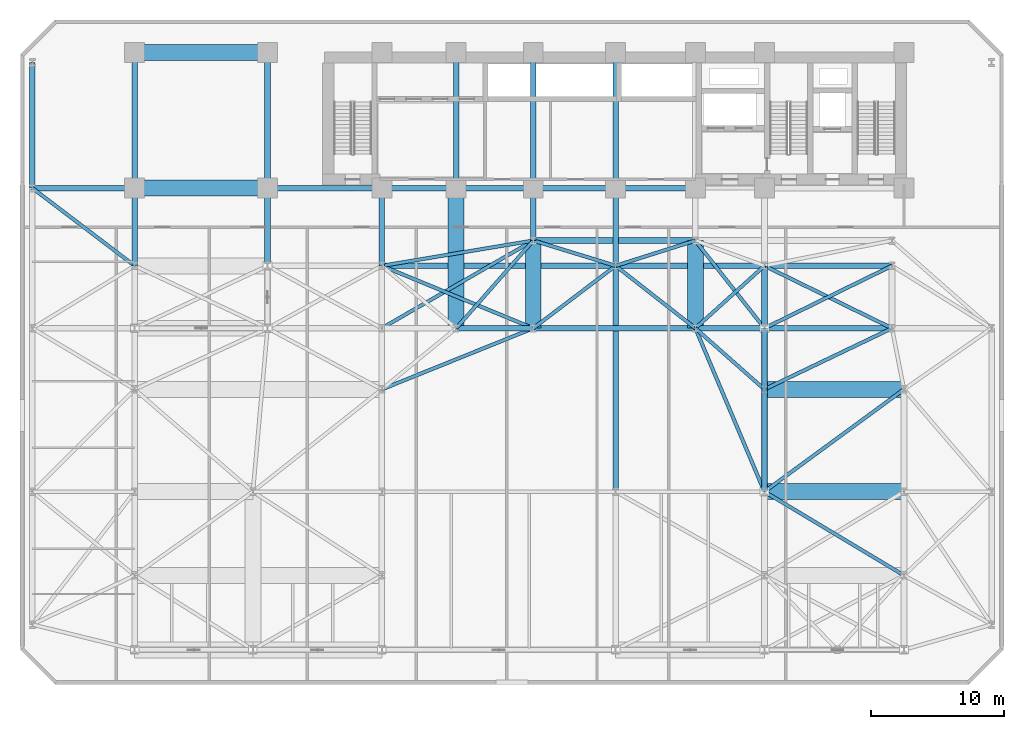
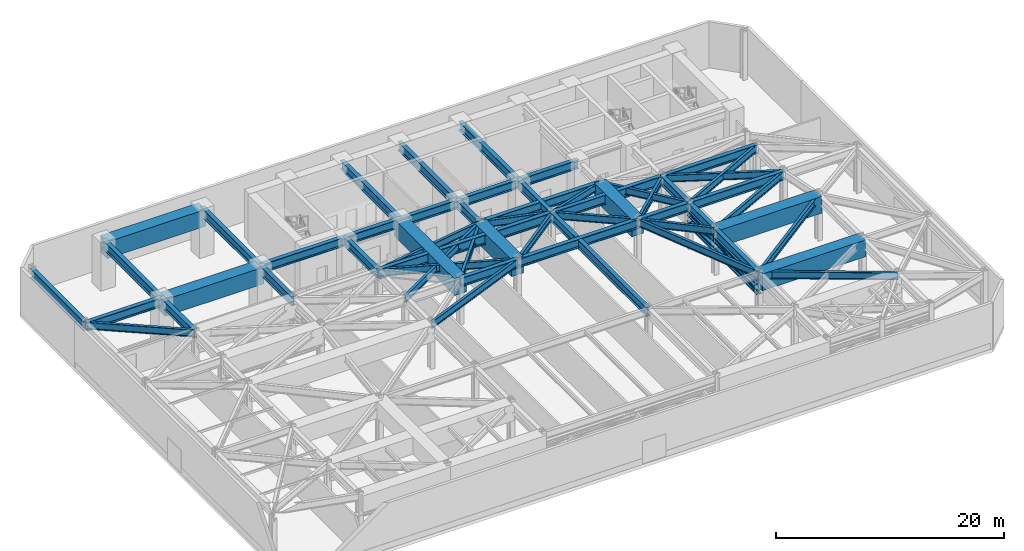
# One storey, part 3 of 14: 55 beams, 4 members.
"""IFC4 building model written with IfcOpenShell, lengths in metres."""

from ifc_helpers import new_model, si_unit, direction, frame, origin, origin_2d, place, context, subcontext, project, spatial, rectangle, hollow_rectangle, i_section, extrude, material, material_profile, profile_set, type_object, element, save


model = new_model("IFC4")

# Units and contexts
model_context = context("Model", 3, precision=1e-05, world=origin(), true_north=direction((0.0, 1.0)))
body_context = subcontext(model_context, "Body", "Model", "MODEL_VIEW")
ifc_project = project(units=[si_unit("LENGTHUNIT", "METRE"), si_unit("AREAUNIT", "SQUARE_METRE"), si_unit("VOLUMEUNIT", "CUBIC_METRE"), si_unit("PLANEANGLEUNIT", "RADIAN"), si_unit("MASSUNIT", "GRAM", prefix="KILO")], contexts=[model_context])

# Site, building, storey
site_placement = place(None, origin())
site = spatial("IfcSite", under=ifc_project, at=site_placement, CompositionType="ELEMENT")
building_placement = place(site_placement, origin())
building = spatial("IfcBuilding", under=site, at=building_placement, Name="Kravanh Interchange Tower", CompositionType="ELEMENT")
storey_placement = place(building_placement, frame((0.0, 0.0, 24.300048828125)))
storey = spatial("IfcBuildingStorey", under=building, at=storey_placement, Name="L05", CompositionType="ELEMENT", Elevation=24.300048828125)

# Beams
ifc_material_1 = material(Name="Structural Steel S450", Category="steel")
ifc_material_profile_1 = material_profile(ifc_material_1, i_section(OverallWidth=0.423095703125, OverallDepth=0.947998046875, WebThickness=0.02392578125, FlangeThickness=0.042724609375, FilletRadius=0.028076171875, at=origin_2d()), Name="W36X302")
ifc_profile_set_1 = profile_set([ifc_material_profile_1], Name="Structural Steel S450")
beam_type_1 = type_object("IfcBeamType", Name="Floor Beam W36X302 Structural Steel S450", PredefinedType="BEAM", material=ifc_profile_set_1)
beam_1_placement = place(storey_placement, frame((44.800048828125, 14.5, 4.466064453125), z_axis=(0.0, 1.0, 0.0), x_axis=(-1.0, 0.0, 0.0)))
element("IfcBeam", 1, at=beam_1_placement, inside=storey, type_object=beam_type_1, Name="L05 Primary Floor Girder 48", PredefinedType="BEAM", context=body_context, shape_type="SweptSolid", body=[
    extrude(i_section(OverallWidth=0.423095703125, OverallDepth=0.947998046875, WebThickness=0.02392578125, FlangeThickness=0.042724609375, FilletRadius=0.028076171875, at=origin_2d()), origin(), (0.0, 0.0, 1.0), 17.0),
])
beam_2_placement = place(storey_placement, frame((56.0, 14.5, 4.466064453125), z_axis=(0.0, 1.0, 0.0), x_axis=(-1.0, 0.0, 0.0)))
element("IfcBeam", 2, at=beam_2_placement, inside=storey, type_object=beam_type_1, Name="L05 Primary Floor Girder 49", PredefinedType="BEAM", context=body_context, shape_type="SweptSolid", body=[
    extrude(i_section(OverallWidth=0.423095703125, OverallDepth=0.947998046875, WebThickness=0.02392578125, FlangeThickness=0.042724609375, FilletRadius=0.028076171875, at=origin_2d()), origin(), (0.0, 0.0, 1.0), 7.699951171875),
])
beam_3_placement = place(storey_placement, frame((56.0, 22.199951171875, 4.466064453125), z_axis=(0.0, 1.0, 0.0), x_axis=(-1.0, 0.0, 0.0)))
element("IfcBeam", 3, at=beam_3_placement, inside=storey, type_object=beam_type_1, Name="L05 Primary Floor Girder 65", PredefinedType="BEAM", context=body_context, shape_type="SweptSolid", body=[
    extrude(i_section(OverallWidth=0.423095703125, OverallDepth=0.947998046875, WebThickness=0.02392578125, FlangeThickness=0.042724609375, FilletRadius=0.028076171875, at=origin_2d()), origin(), (0.0, 0.0, 1.0), 4.60009765625),
])
beam_4_placement = place(storey_placement, frame((32.800048828125, 26.800048828125, 4.466064453125), z_axis=(1.0, 0.0, 0.0), x_axis=(0.0, 1.0, 0.0)))
element("IfcBeam", 4, at=beam_4_placement, inside=storey, type_object=beam_type_1, Name="L05 Primary Floor Girder 85", PredefinedType="BEAM", context=body_context, shape_type="SweptSolid", body=[
    extrude(i_section(OverallWidth=0.423095703125, OverallDepth=0.947998046875, WebThickness=0.02392578125, FlangeThickness=0.042724609375, FilletRadius=0.028076171875, at=origin_2d()), origin(), (0.0, 0.0, 1.0), 5.800048828125),
])
beam_5_placement = place(storey_placement, frame((38.60009765625, 26.800048828125, 4.466064453125), z_axis=(1.0, 0.0, 0.0), x_axis=(0.0, 1.0, 0.0)))
element("IfcBeam", 5, at=beam_5_placement, inside=storey, type_object=beam_type_1, Name="L05 Primary Floor Girder 91", PredefinedType="BEAM", context=body_context, shape_type="SweptSolid", body=[
    extrude(i_section(OverallWidth=0.423095703125, OverallDepth=0.947998046875, WebThickness=0.02392578125, FlangeThickness=0.042724609375, FilletRadius=0.028076171875, at=origin_2d()), origin(), (0.0, 0.0, 1.0), 12.199951171875),
])
beam_6_placement = place(storey_placement, frame((50.800048828125, 26.800048828125, 4.466064453125), z_axis=(1.0, 0.0, 0.0), x_axis=(0.0, 1.0, 0.0)))
element("IfcBeam", 6, at=beam_6_placement, inside=storey, type_object=beam_type_1, Name="L05 Primary Floor Girder 93", PredefinedType="BEAM", context=body_context, shape_type="SweptSolid", body=[
    extrude(i_section(OverallWidth=0.423095703125, OverallDepth=0.947998046875, WebThickness=0.02392578125, FlangeThickness=0.042724609375, FilletRadius=0.028076171875, at=origin_2d()), origin(), (0.0, 0.0, 1.0), 5.199951171875),
])
beam_7_placement = place(storey_placement, frame((56.0, 26.800048828125, 4.466064453125), z_axis=(0.0, 1.0, 0.0), x_axis=(-1.0, 0.0, 0.0)))
element("IfcBeam", 7, at=beam_7_placement, inside=storey, type_object=beam_type_1, Name="L05 Primary Floor Girder 97", PredefinedType="BEAM", context=body_context, shape_type="SweptSolid", body=[
    extrude(i_section(OverallWidth=0.423095703125, OverallDepth=0.947998046875, WebThickness=0.02392578125, FlangeThickness=0.042724609375, FilletRadius=0.028076171875, at=origin_2d()), origin(), (0.0, 0.0, 1.0), 4.699951171875),
])
beam_8_placement = place(storey_placement, frame((56.0, 26.800048828125, 4.466064453125), z_axis=(1.0, 0.0, 0.0), x_axis=(0.0, 1.0, 0.0)))
element("IfcBeam", 8, at=beam_8_placement, inside=storey, type_object=beam_type_1, Name="L05 Primary Floor Girder 99", PredefinedType="BEAM", context=body_context, shape_type="SweptSolid", body=[
    extrude(i_section(OverallWidth=0.423095703125, OverallDepth=0.947998046875, WebThickness=0.02392578125, FlangeThickness=0.042724609375, FilletRadius=0.028076171875, at=origin_2d()), origin(), (0.0, 0.0, 1.0), 9.60009765625),
])
for number, where, z_axis, x_axis, name in (
    (9, (8.60009765625, 31.5, 4.466064453125), (0.0, 1.0, 0.0), (-1.0, 0.0, 0.0), "L05 Primary Floor Girder 104"),
    (10, (18.60009765625, 31.5, 4.466064453125), (0.0, 1.0, 0.0), (-1.0, 0.0, 0.0), "L05 Primary Floor Girder 108"),
    (11, (27.199951171875, 31.5, 4.466064453125), (0.0, 1.0, 0.0), (-1.0, 0.0, 0.0), "L05 Primary Floor Girder 110"),
    (12, (44.800048828125, 31.5, 4.466064453125), (0.0, 1.0, 0.0), (-1.0, 0.0, 0.0), "L05 Primary Floor Girder 113"),
):
    element("IfcBeam", number, at=place(storey_placement, frame(where, z_axis=z_axis, x_axis=x_axis)), inside=storey, type_object=beam_type_1, Name=name, PredefinedType="BEAM", context=body_context, shape_type="SweptSolid", body=[
        extrude(i_section(OverallWidth=0.423095703125, OverallDepth=0.947998046875, WebThickness=0.02392578125, FlangeThickness=0.042724609375, FilletRadius=0.028076171875, at=origin_2d()), origin(), (0.0, 0.0, 1.0), 5.85009765625),
    ])
beam_9_placement = place(storey_placement, frame((56.0, 31.5, 4.466064453125), z_axis=(1.0, 0.0, 0.0), x_axis=(0.0, 1.0, 0.0)))
element("IfcBeam", 13, at=beam_9_placement, inside=storey, type_object=beam_type_1, Name="L05 Primary Floor Girder 119", PredefinedType="BEAM", context=body_context, shape_type="SweptSolid", body=[
    extrude(i_section(OverallWidth=0.423095703125, OverallDepth=0.947998046875, WebThickness=0.02392578125, FlangeThickness=0.042724609375, FilletRadius=0.028076171875, at=origin_2d()), origin(), (0.0, 0.0, 1.0), 9.60009765625),
])
beam_10_placement = place(storey_placement, frame((0.89990234375, 37.35009765625, 4.466064453125), z_axis=(1.0, 0.0, 0.0), x_axis=(0.0, 1.0, 0.0)))
element("IfcBeam", 14, at=beam_10_placement, inside=storey, type_object=beam_type_1, Name="L05 Primary Floor Girder 125", PredefinedType="BEAM", context=body_context, shape_type="SweptSolid", body=[
    extrude(i_section(OverallWidth=0.423095703125, OverallDepth=0.947998046875, WebThickness=0.02392578125, FlangeThickness=0.042724609375, FilletRadius=0.028076171875, at=origin_2d()), origin(), (0.0, 0.0, 1.0), 7.7001953125),
])
beam_11_placement = place(storey_placement, frame((0.89990234375, 37.35009765625, 4.466064453125), z_axis=(0.0, 1.0, 0.0), x_axis=(-1.0, 0.0, 0.0)))
element("IfcBeam", 15, at=beam_11_placement, inside=storey, type_object=beam_type_1, Name="L05 Primary Floor Girder 126", PredefinedType="BEAM", context=body_context, shape_type="SweptSolid", body=[
    extrude(i_section(OverallWidth=0.423095703125, OverallDepth=0.947998046875, WebThickness=0.02392578125, FlangeThickness=0.042724609375, FilletRadius=0.028076171875, at=origin_2d()), origin(), (0.0, 0.0, 1.0), 9.449951171875),
])
beam_12_placement = place(storey_placement, frame((38.60009765625, 33.39990234375, 4.466064453125), z_axis=(0.0, 1.0, 0.0), x_axis=(-1.0, 0.0, 0.0)))
element("IfcBeam", 16, at=beam_12_placement, inside=storey, type_object=beam_type_1, Name="L05 Primary Floor Girder 130", PredefinedType="BEAM", context=body_context, shape_type="SweptSolid", body=[
    extrude(i_section(OverallWidth=0.423095703125, OverallDepth=0.947998046875, WebThickness=0.02392578125, FlangeThickness=0.042724609375, FilletRadius=0.028076171875, at=origin_2d()), origin(), (0.0, 0.0, 1.0), 3.9501953125),
])
beam_13_placement = place(storey_placement, frame((38.60009765625, 33.39990234375, 4.466064453125), z_axis=(1.0, 0.0, 0.0), x_axis=(0.0, 1.0, 0.0)))
element("IfcBeam", 17, at=beam_13_placement, inside=storey, type_object=beam_type_1, Name="L05 Primary Floor Girder 131", PredefinedType="BEAM", context=body_context, shape_type="SweptSolid", body=[
    extrude(i_section(OverallWidth=0.423095703125, OverallDepth=0.947998046875, WebThickness=0.02392578125, FlangeThickness=0.042724609375, FilletRadius=0.028076171875, at=origin_2d()), origin(), (0.0, 0.0, 1.0), 12.199951171875),
])
beam_14_placement = place(storey_placement, frame((50.800048828125, 37.35009765625, 4.466064453125), z_axis=(-1.0, 0.0, 0.0), x_axis=(0.0, -1.0, 0.0)))
element("IfcBeam", 18, at=beam_14_placement, inside=storey, type_object=beam_type_1, Name="L05 Primary Floor Girder 142", PredefinedType="BEAM", context=body_context, shape_type="SweptSolid", body=[
    extrude(i_section(OverallWidth=0.423095703125, OverallDepth=0.947998046875, WebThickness=0.02392578125, FlangeThickness=0.042724609375, FilletRadius=0.028076171875, at=origin_2d()), origin(), (0.0, 0.0, 1.0), 6.0),
])
beam_15_placement = place(storey_placement, frame((44.800048828125, 37.35009765625, 4.466064453125), z_axis=(-1.0, 0.0, 0.0), x_axis=(0.0, -1.0, 0.0)))
element("IfcBeam", 19, at=beam_15_placement, inside=storey, type_object=beam_type_1, Name="L05 Primary Floor Girder 143", PredefinedType="BEAM", context=body_context, shape_type="SweptSolid", body=[
    extrude(i_section(OverallWidth=0.423095703125, OverallDepth=0.947998046875, WebThickness=0.02392578125, FlangeThickness=0.042724609375, FilletRadius=0.028076171875, at=origin_2d()), origin(), (0.0, 0.0, 1.0), 6.199951171875),
])
beam_16_placement = place(storey_placement, frame((44.800048828125, 37.35009765625, 4.466064453125), z_axis=(0.0, 1.0, 0.0), x_axis=(-1.0, 0.0, 0.0)))
element("IfcBeam", 20, at=beam_16_placement, inside=storey, type_object=beam_type_1, Name="L05 Primary Floor Girder 144", PredefinedType="BEAM", context=body_context, shape_type="SweptSolid", body=[
    extrude(i_section(OverallWidth=0.423095703125, OverallDepth=0.947998046875, WebThickness=0.02392578125, FlangeThickness=0.042724609375, FilletRadius=0.028076171875, at=origin_2d()), origin(), (0.0, 0.0, 1.0), 10.199951171875),
])
beam_17_placement = place(storey_placement, frame((38.60009765625, 37.35009765625, 4.466064453125), z_axis=(-1.0, 0.0, 0.0), x_axis=(0.0, -1.0, 0.0)))
element("IfcBeam", 21, at=beam_17_placement, inside=storey, type_object=beam_type_1, Name="L05 Primary Floor Girder 146", PredefinedType="BEAM", context=body_context, shape_type="SweptSolid", body=[
    extrude(i_section(OverallWidth=0.423095703125, OverallDepth=0.947998046875, WebThickness=0.02392578125, FlangeThickness=0.042724609375, FilletRadius=0.028076171875, at=origin_2d()), origin(), (0.0, 0.0, 1.0), 5.800048828125),
])
beam_18_placement = place(storey_placement, frame((38.60009765625, 37.35009765625, 4.466064453125), z_axis=(0.0, 1.0, 0.0), x_axis=(-1.0, 0.0, 0.0)))
element("IfcBeam", 22, at=beam_18_placement, inside=storey, type_object=beam_type_1, Name="L05 Primary Floor Girder 147", PredefinedType="BEAM", context=body_context, shape_type="SweptSolid", body=[
    extrude(i_section(OverallWidth=0.423095703125, OverallDepth=0.947998046875, WebThickness=0.02392578125, FlangeThickness=0.042724609375, FilletRadius=0.028076171875, at=origin_2d()), origin(), (0.0, 0.0, 1.0), 10.199951171875),
])
beam_19_placement = place(storey_placement, frame((32.800048828125, 37.35009765625, 4.466064453125), z_axis=(-1.0, 0.0, 0.0), x_axis=(0.0, -1.0, 0.0)))
element("IfcBeam", 23, at=beam_19_placement, inside=storey, type_object=beam_type_1, Name="L05 Primary Floor Girder 149", PredefinedType="BEAM", context=body_context, shape_type="SweptSolid", body=[
    extrude(i_section(OverallWidth=0.423095703125, OverallDepth=0.947998046875, WebThickness=0.02392578125, FlangeThickness=0.042724609375, FilletRadius=0.028076171875, at=origin_2d()), origin(), (0.0, 0.0, 1.0), 5.60009765625),
])
beam_20_placement = place(storey_placement, frame((32.800048828125, 37.35009765625, 4.466064453125), z_axis=(0.0, 1.0, 0.0), x_axis=(-1.0, 0.0, 0.0)))
element("IfcBeam", 24, at=beam_20_placement, inside=storey, type_object=beam_type_1, Name="L05 Primary Floor Girder 150", PredefinedType="BEAM", context=body_context, shape_type="SweptSolid", body=[
    extrude(i_section(OverallWidth=0.423095703125, OverallDepth=0.947998046875, WebThickness=0.02392578125, FlangeThickness=0.042724609375, FilletRadius=0.028076171875, at=origin_2d()), origin(), (0.0, 0.0, 1.0), 10.199951171875),
])
beam_21_placement = place(storey_placement, frame((27.199951171875, 37.35009765625, 4.466064453125), z_axis=(-1.0, 0.0, 0.0), x_axis=(0.0, -1.0, 0.0)))
element("IfcBeam", 25, at=beam_21_placement, inside=storey, type_object=beam_type_1, Name="L05 Primary Floor Girder 152", PredefinedType="BEAM", context=body_context, shape_type="SweptSolid", body=[
    extrude(i_section(OverallWidth=0.423095703125, OverallDepth=0.947998046875, WebThickness=0.02392578125, FlangeThickness=0.042724609375, FilletRadius=0.028076171875, at=origin_2d()), origin(), (0.0, 0.0, 1.0), 8.599853515625),
])
for number, where, z_axis, x_axis, name in (
    (26, (18.60009765625, 37.35009765625, 4.466064453125), (0.0, 1.0, 0.0), (-1.0, 0.0, 0.0), "L05 Primary Floor Girder 156"),
    (27, (8.60009765625, 37.35009765625, 4.466064453125), (0.0, 1.0, 0.0), (-1.0, 0.0, 0.0), "L05 Primary Floor Girder 158"),
):
    element("IfcBeam", number, at=place(storey_placement, frame(where, z_axis=z_axis, x_axis=x_axis)), inside=storey, type_object=beam_type_1, Name=name, PredefinedType="BEAM", context=body_context, shape_type="SweptSolid", body=[
        extrude(i_section(OverallWidth=0.423095703125, OverallDepth=0.947998046875, WebThickness=0.02392578125, FlangeThickness=0.042724609375, FilletRadius=0.028076171875, at=origin_2d()), origin(), (0.0, 0.0, 1.0), 10.199951171875),
    ])
ifc_material_2 = material(Name="Structural Steel S355", Category="steel")
ifc_material_profile_2 = material_profile(ifc_material_2, i_section(OverallWidth=0.26708984375, OverallDepth=0.761962890625, WebThickness=0.014404296875, FlangeThickness=0.021484375, FilletRadius=0.02490234375, at=origin_2d()), Name="W30X116")
ifc_profile_set_2 = profile_set([ifc_material_profile_2], Name="Structural Steel S355")
beam_type_2 = type_object("IfcBeamType", Name="Floor Spandrel W30X116 Structural Steel S355", PredefinedType="SPANDREL", material=ifc_profile_set_2)
beam_22_placement = place(storey_placement, frame((66.5, 8.199951171875, 4.558837890625), z_axis=(-0.857491166477, 0.514498687475, 0.0), x_axis=(-0.514498687475, -0.857491166477, 0.0)))
element("IfcBeam", 28, at=beam_22_placement, inside=storey, type_object=beam_type_2, Name="L05 Perimeter Spandrel 36", PredefinedType="SPANDREL", context=body_context, shape_type="SweptSolid", body=[
    extrude(i_section(OverallWidth=0.26708984375, OverallDepth=0.761962890625, WebThickness=0.014404296875, FlangeThickness=0.021484375, FilletRadius=0.02490234375, at=origin_2d()), origin(), (0.0, 0.0, 1.0), 12.2451171875),
])
beam_23_placement = place(storey_placement, frame((56.0, 14.5, 4.558837890625), z_axis=(0.806406784162, 0.59136122502, 0.0), x_axis=(-0.59136122502, 0.806406784162, 0.0)))
element("IfcBeam", 29, at=beam_23_placement, inside=storey, type_object=beam_type_2, Name="L05 Perimeter Spandrel 51", PredefinedType="SPANDREL", context=body_context, shape_type="SweptSolid", body=[
    extrude(i_section(OverallWidth=0.26708984375, OverallDepth=0.761962890625, WebThickness=0.014404296875, FlangeThickness=0.021484375, FilletRadius=0.02490234375, at=origin_2d()), origin(), (0.0, 0.0, 1.0), 13.020751953125),
])
beam_24_placement = place(storey_placement, frame((56.0, 14.5, 4.558837890625), z_axis=(-0.389391275313, 0.921072437276, 0.0), x_axis=(-0.921072437276, -0.389391275313, 0.0)))
element("IfcBeam", 30, at=beam_24_placement, inside=storey, type_object=beam_type_2, Name="L05 Perimeter Spandrel 52", PredefinedType="SPANDREL", context=body_context, shape_type="SweptSolid", body=[
    extrude(i_section(OverallWidth=0.26708984375, OverallDepth=0.761962890625, WebThickness=0.014404296875, FlangeThickness=0.021484375, FilletRadius=0.02490234375, at=origin_2d()), origin(), (0.0, 0.0, 1.0), 13.35400390625),
])
beam_25_placement = place(storey_placement, frame((27.199951171875, 22.199951171875, 4.558837890625), z_axis=(0.927349344428, 0.374196730864, 0.0), x_axis=(-0.374196730864, 0.927349344428, 0.0)))
element("IfcBeam", 31, at=beam_25_placement, inside=storey, type_object=beam_type_2, Name="L05 Perimeter Spandrel 64", PredefinedType="SPANDREL", context=body_context, shape_type="SweptSolid", body=[
    extrude(i_section(OverallWidth=0.26708984375, OverallDepth=0.761962890625, WebThickness=0.014404296875, FlangeThickness=0.021484375, FilletRadius=0.02490234375, at=origin_2d()), origin(), (0.0, 0.0, 1.0), 12.293212890625),
])
beam_26_placement = place(storey_placement, frame((56.0, 22.199951171875, 4.558837890625), z_axis=(-0.74898649432, 0.662585263439, 0.0), x_axis=(-0.662585263439, -0.74898649432, 0.0)))
element("IfcBeam", 32, at=beam_26_placement, inside=storey, type_object=beam_type_2, Name="L05 Perimeter Spandrel 66", PredefinedType="SPANDREL", context=body_context, shape_type="SweptSolid", body=[
    extrude(i_section(OverallWidth=0.26708984375, OverallDepth=0.761962890625, WebThickness=0.014404296875, FlangeThickness=0.021484375, FilletRadius=0.02490234375, at=origin_2d()), origin(), (0.0, 0.0, 1.0), 6.942626953125),
])
beam_27_placement = place(storey_placement, frame((56.0, 22.199951171875, 4.558837890625), z_axis=(0.901814166789, 0.432124066188, 0.0), x_axis=(-0.432124066188, 0.901814166789, 0.0)))
element("IfcBeam", 33, at=beam_27_placement, inside=storey, type_object=beam_type_2, Name="L05 Perimeter Spandrel 68", PredefinedType="SPANDREL", context=body_context, shape_type="SweptSolid", body=[
    extrude(i_section(OverallWidth=0.26708984375, OverallDepth=0.761962890625, WebThickness=0.014404296875, FlangeThickness=0.021484375, FilletRadius=0.02490234375, at=origin_2d()), origin(), (0.0, 0.0, 1.0), 10.645263671875),
])
beam_28_placement = place(storey_placement, frame((27.199951171875, 26.800048828125, 4.558837890625), z_axis=(0.865433898834, 0.501023119974, 0.0), x_axis=(-0.501023119974, 0.865433898834, 0.0)))
element("IfcBeam", 34, at=beam_28_placement, inside=storey, type_object=beam_type_2, Name="L05 Perimeter Spandrel 84", PredefinedType="SPANDREL", context=body_context, shape_type="SweptSolid", body=[
    extrude(i_section(OverallWidth=0.26708984375, OverallDepth=0.761962890625, WebThickness=0.014404296875, FlangeThickness=0.021484375, FilletRadius=0.02490234375, at=origin_2d()), origin(), (0.0, 0.0, 1.0), 13.1728515625),
])
beam_29_placement = place(storey_placement, frame((32.800048828125, 26.800048828125, 4.558837890625), z_axis=(0.660126010232, 0.751154877914, 0.0), x_axis=(-0.751154877914, 0.660126010232, 0.0)))
element("IfcBeam", 35, at=beam_29_placement, inside=storey, type_object=beam_type_2, Name="L05 Perimeter Spandrel 87", PredefinedType="SPANDREL", context=body_context, shape_type="SweptSolid", body=[
    extrude(i_section(OverallWidth=0.26708984375, OverallDepth=0.761962890625, WebThickness=0.014404296875, FlangeThickness=0.021484375, FilletRadius=0.02490234375, at=origin_2d()), origin(), (0.0, 0.0, 1.0), 8.786376953125),
])
beam_30_placement = place(storey_placement, frame((38.60009765625, 26.800048828125, 4.558837890625), z_axis=(0.796905365509, 0.604104161898, 0.0), x_axis=(-0.604104161898, 0.796905365509, 0.0)))
element("IfcBeam", 36, at=beam_30_placement, inside=storey, type_object=beam_type_2, Name="L05 Perimeter Spandrel 90", PredefinedType="SPANDREL", context=body_context, shape_type="SweptSolid", body=[
    extrude(i_section(OverallWidth=0.26708984375, OverallDepth=0.761962890625, WebThickness=0.014404296875, FlangeThickness=0.021484375, FilletRadius=0.02490234375, at=origin_2d()), origin(), (0.0, 0.0, 1.0), 7.780029296875),
])
beam_31_placement = place(storey_placement, frame((38.60009765625, 26.800048828125, 4.558837890625), z_axis=(-0.924513176562, 0.381150083778, 0.0), x_axis=(-0.381150083778, -0.924513176562, 0.0)))
element("IfcBeam", 37, at=beam_31_placement, inside=storey, type_object=beam_type_2, Name="L05 Perimeter Spandrel 92", PredefinedType="SPANDREL", context=body_context, shape_type="SweptSolid", body=[
    extrude(i_section(OverallWidth=0.26708984375, OverallDepth=0.761962890625, WebThickness=0.014404296875, FlangeThickness=0.021484375, FilletRadius=0.02490234375, at=origin_2d()), origin(), (0.0, 0.0, 1.0), 12.3310546875),
])
beam_32_placement = place(storey_placement, frame((50.800048828125, 26.800048828125, 4.558837890625), z_axis=(0.741874009795, 0.670539300557, 0.0), x_axis=(-0.670539300557, 0.741874009795, 0.0)))
element("IfcBeam", 38, at=beam_32_placement, inside=storey, type_object=beam_type_2, Name="L05 Perimeter Spandrel 95", PredefinedType="SPANDREL", context=body_context, shape_type="SweptSolid", body=[
    extrude(i_section(OverallWidth=0.26708984375, OverallDepth=0.761962890625, WebThickness=0.014404296875, FlangeThickness=0.021484375, FilletRadius=0.02490234375, at=origin_2d()), origin(), (0.0, 0.0, 1.0), 7.00927734375),
])
beam_33_placement = place(storey_placement, frame((50.800048828125, 26.800048828125, 4.558837890625), z_axis=(-0.787231163579, 0.616658004967, 0.0), x_axis=(-0.616658004967, -0.787231163579, 0.0)))
element("IfcBeam", 39, at=beam_33_placement, inside=storey, type_object=beam_type_2, Name="L05 Perimeter Spandrel 96", PredefinedType="SPANDREL", context=body_context, shape_type="SweptSolid", body=[
    extrude(i_section(OverallWidth=0.26708984375, OverallDepth=0.761962890625, WebThickness=0.014404296875, FlangeThickness=0.021484375, FilletRadius=0.02490234375, at=origin_2d()), origin(), (0.0, 0.0, 1.0), 7.62158203125),
])
beam_34_placement = place(storey_placement, frame((56.0, 26.800048828125, 4.558837890625), z_axis=(-0.618877116007, 0.785487819946, 0.0), x_axis=(-0.785487819946, -0.618877116007, 0.0)))
element("IfcBeam", 40, at=beam_34_placement, inside=storey, type_object=beam_type_2, Name="L05 Perimeter Spandrel 98", PredefinedType="SPANDREL", context=body_context, shape_type="SweptSolid", body=[
    extrude(i_section(OverallWidth=0.26708984375, OverallDepth=0.761962890625, WebThickness=0.014404296875, FlangeThickness=0.021484375, FilletRadius=0.02490234375, at=origin_2d()), origin(), (0.0, 0.0, 1.0), 8.40234375),
])
for number, where, z_axis, x_axis, name in (
    (41, (56.0, 26.800048828125, 4.558837890625), (0.898141688387, 0.439706160499, 0.0), (-0.439706160499, 0.898141688387, 0.0), "L05 Perimeter Spandrel 100"),
    (42, (65.60009765625, 26.800048828125, 4.558837890625), (-0.898141688387, 0.439706160499, 0.0), (-0.439706160499, -0.898141688387, 0.0), "L05 Perimeter Spandrel 103"),
):
    element("IfcBeam", number, at=place(storey_placement, frame(where, z_axis=z_axis, x_axis=x_axis)), inside=storey, type_object=beam_type_2, Name=name, PredefinedType="SPANDREL", context=body_context, shape_type="SweptSolid", body=[
        extrude(i_section(OverallWidth=0.26708984375, OverallDepth=0.761962890625, WebThickness=0.014404296875, FlangeThickness=0.021484375, FilletRadius=0.02490234375, at=origin_2d()), origin(), (0.0, 0.0, 1.0), 10.68896484375),
    ])
beam_35_placement = place(storey_placement, frame((8.60009765625, 31.5, 4.558837890625), z_axis=(-0.796264345287, 0.604948834552, 0.0), x_axis=(-0.604948834552, -0.796264345287, 0.0)))
element("IfcBeam", 43, at=beam_35_placement, inside=storey, type_object=beam_type_2, Name="L05 Perimeter Spandrel 106", PredefinedType="SPANDREL", context=body_context, shape_type="SweptSolid", body=[
    extrude(i_section(OverallWidth=0.26708984375, OverallDepth=0.761962890625, WebThickness=0.014404296875, FlangeThickness=0.021484375, FilletRadius=0.02490234375, at=origin_2d()), origin(), (0.0, 0.0, 1.0), 9.67041015625),
])
beam_36_placement = place(storey_placement, frame((27.199951171875, 31.5, 4.558837890625), z_axis=(0.986395636554, 0.164388710647, 0.0), x_axis=(-0.164388710647, 0.986395636554, 0.0)))
element("IfcBeam", 44, at=beam_36_placement, inside=storey, type_object=beam_type_2, Name="L05 Perimeter Spandrel 111", PredefinedType="SPANDREL", context=body_context, shape_type="SweptSolid", body=[
    extrude(i_section(OverallWidth=0.26708984375, OverallDepth=0.761962890625, WebThickness=0.014404296875, FlangeThickness=0.021484375, FilletRadius=0.02490234375, at=origin_2d()), origin(), (0.0, 0.0, 1.0), 11.557373046875),
])
beam_37_placement = place(storey_placement, frame((44.800048828125, 31.5, 4.558837890625), z_axis=(0.953346691051, 0.301877602122, 0.0), x_axis=(-0.301877602122, 0.953346691051, 0.0)))
element("IfcBeam", 45, at=beam_37_placement, inside=storey, type_object=beam_type_2, Name="L05 Perimeter Spandrel 114", PredefinedType="SPANDREL", context=body_context, shape_type="SweptSolid", body=[
    extrude(i_section(OverallWidth=0.26708984375, OverallDepth=0.761962890625, WebThickness=0.014404296875, FlangeThickness=0.021484375, FilletRadius=0.02490234375, at=origin_2d()), origin(), (0.0, 0.0, 1.0), 6.293701171875),
])
beam_38_placement = place(storey_placement, frame((44.800048828125, 31.5, 4.558837890625), z_axis=(-0.956115397264, 0.292990353279, 0.0), x_axis=(-0.292990353279, -0.956115397264, 0.0)))
element("IfcBeam", 46, at=beam_38_placement, inside=storey, type_object=beam_type_2, Name="L05 Perimeter Spandrel 115", PredefinedType="SPANDREL", context=body_context, shape_type="SweptSolid", body=[
    extrude(i_section(OverallWidth=0.26708984375, OverallDepth=0.761962890625, WebThickness=0.014404296875, FlangeThickness=0.021484375, FilletRadius=0.02490234375, at=origin_2d()), origin(), (0.0, 0.0, 1.0), 6.484619140625),
])
ifc_material_3 = material(Name="Concrete C70/85", Category="concrete")
ifc_material_profile_3 = material_profile(ifc_material_3, rectangle(XDim=1.199951171875, YDim=1.800048828125, at=origin_2d()), Name="TG1200X1800")
ifc_profile_set_3 = profile_set([ifc_material_profile_3], Name="Concrete C70/85")
beam_type_3 = type_object("IfcBeamType", Name="Transfer Girder TG1200X1800 Concrete C70/85", PredefinedType="BEAM", material=ifc_profile_set_3)
for number, where, z_axis, x_axis, name in (
    (47, (18.60009765625, 37.35009765625, 4.0400390625), (-1.0, 0.0, 0.0), (0.0, -1.0, 0.0), "L05 TRANSFER GIRDER TG-1"),
    (48, (18.60009765625, 47.550048828125, 4.0400390625), (-1.0, 0.0, 0.0), (0.0, -1.0, 0.0), "L05 TRANSFER GIRDER TG-2"),
):
    element("IfcBeam", number, at=place(storey_placement, frame(where, z_axis=z_axis, x_axis=x_axis)), inside=storey, type_object=beam_type_3, Name=name, PredefinedType="BEAM", context=body_context, shape_type="SweptSolid", body=[
        extrude(rectangle(XDim=1.199951171875, YDim=1.800048828125, at=origin_2d()), origin(), (0.0, 0.0, 1.0), 10.0),
    ])
for number, where, z_axis, x_axis, name in (
    (49, (56.0, 14.5, 4.0400390625), (1.0, 0.0, 0.0), (0.0, 1.0, 0.0), "L05 TRANSFER GIRDER TG-11"),
    (50, (56.0, 22.199951171875, 4.0400390625), (1.0, 0.0, 0.0), (0.0, 1.0, 0.0), "L05 TRANSFER GIRDER TG-13"),
):
    element("IfcBeam", number, at=place(storey_placement, frame(where, z_axis=z_axis, x_axis=x_axis)), inside=storey, type_object=beam_type_3, Name=name, PredefinedType="BEAM", context=body_context, shape_type="SweptSolid", body=[
        extrude(rectangle(XDim=1.199951171875, YDim=1.800048828125, at=origin_2d()), origin(), (0.0, 0.0, 1.0), 10.5),
    ])
beam_39_placement = place(storey_placement, frame((32.800048828125, 37.35009765625, 4.0400390625), z_axis=(0.0, -1.0, 0.0), x_axis=(1.0, 0.0, 0.0)))
element("IfcBeam", 51, at=beam_39_placement, inside=storey, type_object=beam_type_3, Name="L05 TRANSFER GIRDER TG-16", PredefinedType="BEAM", context=body_context, shape_type="SweptSolid", body=[
    extrude(rectangle(XDim=1.199951171875, YDim=1.800048828125, at=origin_2d()), origin(), (0.0, 0.0, 1.0), 10.550048828125),
])
for number, where, z_axis, x_axis, name in (
    (52, (38.60009765625, 33.39990234375, 4.0400390625), (0.0, -1.0, 0.0), (1.0, 0.0, 0.0), "L05 TRANSFER GIRDER TG-17"),
    (53, (50.800048828125, 33.39990234375, 4.0400390625), (0.0, -1.0, 0.0), (1.0, 0.0, 0.0), "L05 TRANSFER GIRDER TG-18"),
):
    element("IfcBeam", number, at=place(storey_placement, frame(where, z_axis=z_axis, x_axis=x_axis)), inside=storey, type_object=beam_type_3, Name=name, PredefinedType="BEAM", context=body_context, shape_type="SweptSolid", body=[
        extrude(rectangle(XDim=1.199951171875, YDim=1.800048828125, at=origin_2d()), origin(), (0.0, 0.0, 1.0), 6.599853515625),
    ])
ifc_material_4 = material(Name="Structural Steel S450", Category="steel")
ifc_material_profile_4 = material_profile(ifc_material_4, i_section(OverallWidth=0.4140625, OverallDepth=1.010986328125, WebThickness=0.023681640625, FlangeThickness=0.0419921875, FilletRadius=0.030029296875, at=origin_2d()), Name="W40X297")
ifc_profile_set_4 = profile_set([ifc_material_profile_4], Name="Structural Steel S450")
beam_type_4 = type_object("IfcBeamType", Name="Transfer Girder W40X297 Structural Steel S450", PredefinedType="BEAM", material=ifc_profile_set_4)
beam_40_placement = place(storey_placement, frame((44.800048828125, 31.5, 4.4345703125), z_axis=(1.0, 0.0, 0.0), x_axis=(0.0, 1.0, 0.0)))
element("IfcBeam", 54, at=beam_40_placement, inside=storey, type_object=beam_type_4, Name="L05 STEEL TRANSFER GIRDER 2", PredefinedType="BEAM", context=body_context, shape_type="SweptSolid", body=[
    extrude(i_section(OverallWidth=0.4140625, OverallDepth=1.010986328125, WebThickness=0.023681640625, FlangeThickness=0.0419921875, FilletRadius=0.030029296875, at=origin_2d()), origin(), (0.0, 0.0, 1.0), 11.199951171875),
])
ifc_material_5 = material(Name="Structural Steel S450", Category="steel")
ifc_material_profile_5 = material_profile(ifc_material_5, i_section(OverallWidth=0.4189453125, OverallDepth=1.041015625, WebThickness=0.031005859375, FlangeThickness=0.055908203125, FilletRadius=0.030029296875, at=origin_2d()), Name="W40X397")
ifc_profile_set_5 = profile_set([ifc_material_profile_5], Name="Structural Steel S450")
beam_type_5 = type_object("IfcBeamType", Name="Transfer Girder W40X397 Structural Steel S450", PredefinedType="BEAM", material=ifc_profile_set_5)
beam_41_placement = place(storey_placement, frame((27.199951171875, 31.5, 4.41943359375), z_axis=(1.0, 0.0, 0.0), x_axis=(0.0, 1.0, 0.0)))
element("IfcBeam", 55, at=beam_41_placement, inside=storey, type_object=beam_type_5, Name="L05 STEEL TRANSFER GIRDER 1", PredefinedType="BEAM", context=body_context, shape_type="SweptSolid", body=[
    extrude(i_section(OverallWidth=0.4189453125, OverallDepth=1.041015625, WebThickness=0.031005859375, FlangeThickness=0.055908203125, FilletRadius=0.030029296875, at=origin_2d()), origin(), (0.0, 0.0, 1.0), 17.60009765625),
])

# Members
ifc_material_6 = material(Name="Structural Steel S450", Category="steel")
ifc_material_profile_6 = material_profile(ifc_material_6, i_section(OverallWidth=0.44189453125, OverallDepth=0.531005859375, WebThickness=0.06591796875, FlangeThickness=0.105712890625, FilletRadius=0.030029296875, at=origin_2d()), Name="W14X605")
ifc_profile_set_6 = profile_set([ifc_material_profile_6], Name="Structural Steel S450")
member_type_1 = type_object("IfcMemberType", Name="Transfer Truss Chord W14X605 Structural Steel S450", PredefinedType="CHORD", material=ifc_profile_set_6)
for number, where, z_axis, x_axis, name in (
    (56, (56.0, 14.5, 2.699951171875), (0.0, 1.0, 0.0), (-1.0, 0.0, 0.0), "L05 TRANSFER TRUSS BOTTOM CHORD 7"),
    (57, (56.0, 14.5, 3.741943359375), (0.0, 1.0, 0.0), (-1.0, 0.0, 0.0), "L05 TRANSFER TRUSS TOP CHORD 7"),
):
    element("IfcMember", number, at=place(storey_placement, frame(where, z_axis=z_axis, x_axis=x_axis)), inside=storey, type_object=member_type_1, Name=name, PredefinedType="CHORD", context=body_context, shape_type="SweptSolid", body=[
        extrude(i_section(OverallWidth=0.44189453125, OverallDepth=0.531005859375, WebThickness=0.06591796875, FlangeThickness=0.105712890625, FilletRadius=0.030029296875, at=origin_2d()), origin(), (0.0, 0.0, 1.0), 12.300048828125),
    ])
ifc_material_7 = material(Name="Structural Steel S450", Category="steel")
ifc_material_profile_7 = material_profile(ifc_material_7, hollow_rectangle(XDim=0.35009765625, YDim=0.35009765625, WallThickness=0.01611328125, at=origin_2d()), Name="HSS350X350X16")
ifc_profile_set_7 = profile_set([ifc_material_profile_7], Name="Structural Steel S450")
member_type_2 = type_object("IfcMemberType", Name="Transfer Truss Diagonal HSS350X350X16 Structural Steel S450", PredefinedType="BRACE", material=ifc_profile_set_7)
member_1_placement = place(storey_placement, frame((56.0, 14.5, 2.699951171875), z_axis=(0.0, 0.990967506869, 0.134102201063), x_axis=(-1.0, 0.0, 0.0)))
element("IfcMember", 58, at=member_1_placement, inside=storey, type_object=member_type_2, Name="L05 TRANSFER TRUSS DIAGONAL 7A", PredefinedType="BRACE", context=body_context, shape_type="SweptSolid", body=[
    extrude(hollow_rectangle(XDim=0.35009765625, YDim=0.35009765625, WallThickness=0.01611328125, at=origin_2d()), origin(), (0.0, 0.0, 1.0), 7.77001953125),
])
member_2_placement = place(storey_placement, frame((56.0, 26.800048828125, 2.699951171875), z_axis=(0.0, -0.975292260369, 0.220918552556), x_axis=(1.0, 0.0, 0.0)))
element("IfcMember", 59, at=member_2_placement, inside=storey, type_object=member_type_2, Name="L05 TRANSFER TRUSS DIAGONAL 7B", PredefinedType="BRACE", context=body_context, shape_type="SweptSolid", body=[
    extrude(hollow_rectangle(XDim=0.35009765625, YDim=0.35009765625, WallThickness=0.01611328125, at=origin_2d()), origin(), (0.0, 0.0, 1.0), 4.716552734375),
])

save(model, "model.ifc")
